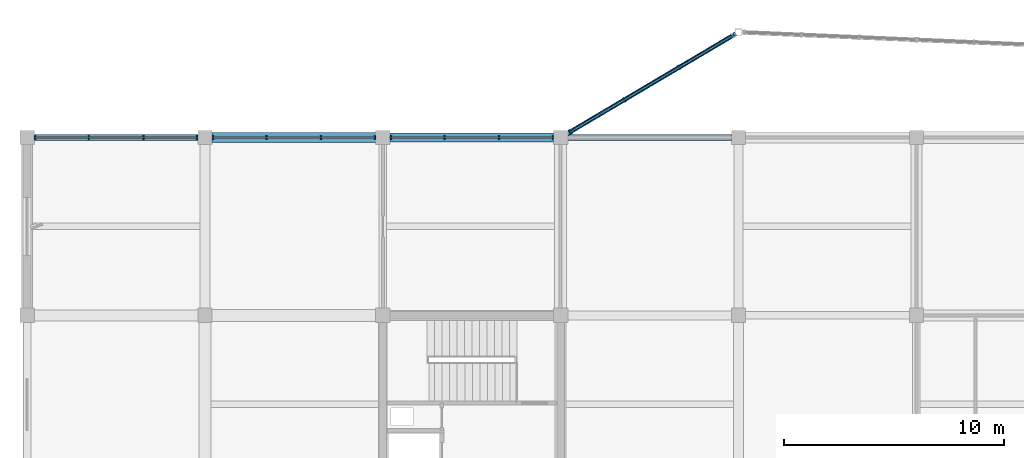
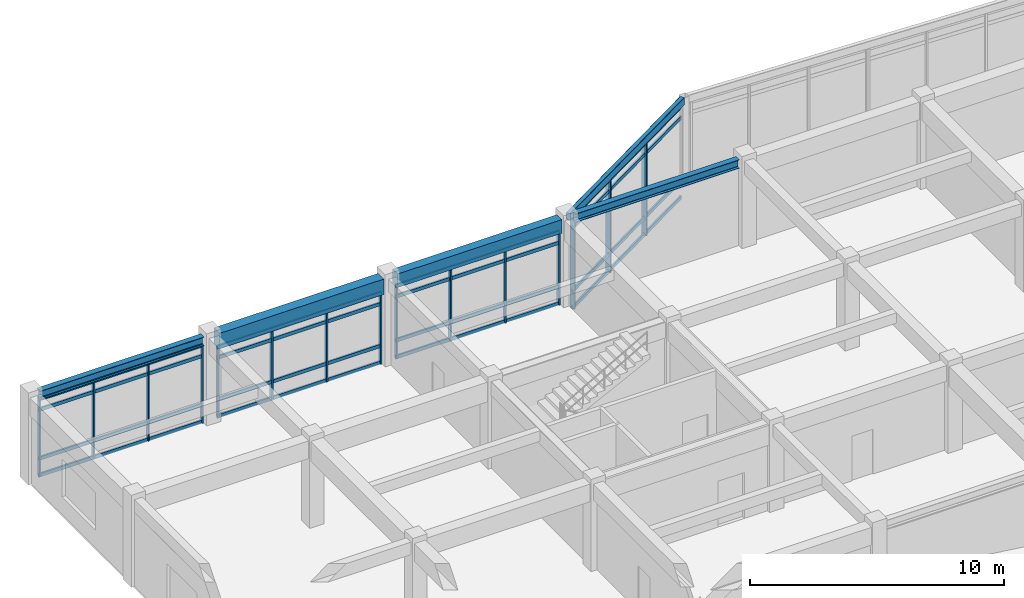
# One storey, part 34 of 70: 31 members, 5 beams, 4 elements without a shape of their own.
"""IFC4 building model written with IfcOpenShell, lengths in metres."""

from ifc_helpers import new_model, si_unit, direction, frame, origin, origin_2d, place, context, subcontext, project, spatial, rectangle, hollow_rectangle, i_section, extrude, material, layer, layer_set, material_profile, profile_set, type_object, element, aggregate, save


model = new_model("IFC4")

# Units and contexts
model_context = context("Model", 3, precision=1e-05, world=origin(), true_north=direction((0.0, 1.0)))
body_context = subcontext(model_context, "Body", "Model", "MODEL_VIEW")
ifc_project = project(units=[si_unit("LENGTHUNIT", "METRE"), si_unit("AREAUNIT", "SQUARE_METRE"), si_unit("VOLUMEUNIT", "CUBIC_METRE"), si_unit("PLANEANGLEUNIT", "RADIAN"), si_unit("MASSUNIT", "GRAM", prefix="KILO")], contexts=[model_context])

# Site, building, storey
site_placement = place(None, origin())
site = spatial("IfcSite", under=ifc_project, at=site_placement, CompositionType="ELEMENT")
building_placement = place(site_placement, origin())
building = spatial("IfcBuilding", under=site, at=building_placement, Name="Vaudrelin Polytechnic", CompositionType="ELEMENT")
storey_placement = place(building_placement, frame((0.0, 0.0, 14.110107421875)))
storey = spatial("IfcBuildingStorey", under=building, at=storey_placement, Name="L03", CompositionType="ELEMENT", Elevation=14.110107421875)

# Beams
ifc_material_1 = material(Name="Concrete 40 MPa", Category="concrete")
ifc_material_profile_1 = material_profile(ifc_material_1, rectangle(XDim=0.39990234375, YDim=0.64990234375, at=origin_2d()), Name="RC400x650")
ifc_profile_set_1 = profile_set([ifc_material_profile_1], Name="Concrete 40 MPa")
beam_type_1 = type_object("IfcBeamType", Name="BM-BM-RC4065", PredefinedType="BEAM", material=ifc_profile_set_1)
beam_1_placement = place(storey_placement, frame((16.52099609375, 121.5, 3.8349609375), z_axis=(1.0, 0.0, 0.0), x_axis=(0.0, 1.0, 0.0)))
element("IfcBeam", 1, at=beam_1_placement, inside=storey, type_object=beam_type_1, Name="L03 X-beam 3-16", PredefinedType="BEAM", context=body_context, shape_type="SweptSolid", body=[
    extrude(rectangle(XDim=0.39990234375, YDim=0.64990234375, at=origin_2d()), origin(), (0.0, 0.0, 1.0), 7.4580078125),
])
ifc_material_profile_2 = material_profile(ifc_material_1, rectangle(XDim=0.449951171875, YDim=0.75, at=origin_2d()), Name="RC450x750")
ifc_profile_set_2 = profile_set([ifc_material_profile_2], Name="Concrete 40 MPa")
beam_type_2 = type_object("IfcBeamType", Name="BM-BM-RC4575", PredefinedType="BEAM", material=ifc_profile_set_2)
beam_2_placement = place(storey_placement, frame((8.4208984375, 121.5, 3.784912109375), z_axis=(1.0, 0.0, 0.0), x_axis=(0.0, 1.0, 0.0)))
element("IfcBeam", 2, at=beam_2_placement, inside=storey, type_object=beam_type_2, Name="L03 X-beam 2-16", PredefinedType="BEAM", context=body_context, shape_type="SweptSolid", body=[
    extrude(rectangle(XDim=0.449951171875, YDim=0.75, at=origin_2d()), origin(), (0.0, 0.0, 1.0), 7.4580078125),
])
ifc_material_2 = material(Name="Steel CSA G40.21 350WT", Category="steel")
ifc_material_profile_3 = material_profile(ifc_material_2, i_section(OverallWidth=0.260009765625, OverallDepth=0.4150390625, WebThickness=0.010009765625, FlangeThickness=0.016845703125, FilletRadius=0.01611328125, at=origin_2d()), Name="W410x100")
ifc_profile_set_3 = profile_set([ifc_material_profile_3], Name="Steel CSA G40.21 350WT")
beam_type_3 = type_object("IfcBeamType", Name="BM-BM-W410H", PredefinedType="SPANDREL", material=ifc_profile_set_3)
for number, where, z_axis, x_axis, name in (
    (3, (0.321044921875, 121.5, 3.952392578125), (1.0, 0.0, 0.0), (0.0, 1.0, 0.0), "L03 X-beam 1-16"),
    (4, (24.62109375, 121.5, 3.952392578125), (1.0, 0.0, 0.0), (0.0, 1.0, 0.0), "L03 X-beam 4-16"),
):
    element("IfcBeam", number, at=place(storey_placement, frame(where, z_axis=z_axis, x_axis=x_axis)), inside=storey, type_object=beam_type_3, Name=name, PredefinedType="SPANDREL", context=body_context, shape_type="SweptSolid", body=[
        extrude(i_section(OverallWidth=0.260009765625, OverallDepth=0.4150390625, WebThickness=0.010009765625, FlangeThickness=0.016845703125, FilletRadius=0.01611328125, at=origin_2d()), origin(), (0.0, 0.0, 1.0), 7.4580078125),
    ])
ifc_material_profile_4 = material_profile(ifc_material_2, hollow_rectangle(XDim=0.202880859375, YDim=0.35595703125, WallThickness=0.0126953125, InnerFilletRadius=0.0126953125, OuterFilletRadius=0.025390625, at=origin_2d()), Name="HSS356x203x12.7")
ifc_profile_set_4 = profile_set([ifc_material_profile_4], Name="Steel CSA G40.21 350WT")
beam_type_4 = type_object("IfcBeamType", Name="BM-SP-HSS35", PredefinedType="SPANDREL", material=ifc_profile_set_4)
beam_3_placement = place(storey_placement, frame((24.42041015625, 121.5712890625, 3.98193359375), z_axis=(0.860293270053, 0.509799460083, 0.0), x_axis=(-0.509799460083, 0.860293270053, 0.0)))
element("IfcBeam", 5, at=beam_3_placement, inside=storey, type_object=beam_type_4, Name="Sculptural edge beam L03 N_OR1_B1", PredefinedType="SPANDREL", context=body_context, shape_type="SweptSolid", body=[
    extrude(hollow_rectangle(XDim=0.202880859375, YDim=0.35595703125, WallThickness=0.0126953125, InnerFilletRadius=0.0126953125, OuterFilletRadius=0.025390625, at=origin_2d()), origin(), (0.0, 0.0, 1.0), 9.135498046875),
])

# Curtain wall, members
ifc_material_3 = material(Name="Thermally broken anodised aluminium AA 6063-T6 and low-e triple glazing", Category="aluminium")
ifc_layer = layer(ifc_material_3, 0.199951171875)
ifc_layer_set = layer_set([ifc_layer], Name="Thermally broken anodised aluminium AA 6063-T6 and low-e triple glazing")
curtain_wall_type = type_object("IfcCurtainWallType", Name="CW-CW-STU", PredefinedType="USERDEFINED", material=ifc_layer_set)
curtain_wall_1_placement = place(storey_placement, origin())
curtain_wall_1 = element("IfcCurtainWall", 6, at=curtain_wall_1_placement, inside=storey, type_object=curtain_wall_type, Name="Curtain wall L03 N_V5_00", ObjectType="CURTAIN WALL", PredefinedType="USERDEFINED")
ifc_material_4 = material(Name="Anodised aluminium AA 6063-T6", Category="aluminium")
ifc_material_profile_5 = material_profile(ifc_material_4, rectangle(XDim=0.06494140625, YDim=0.179931640625, at=origin_2d()), Name="CWM-65x180")
ifc_profile_set_5 = profile_set([ifc_material_profile_5], Name="Anodised aluminium AA 6063-T6")
member_type_1 = type_object("IfcMemberType", Name="MEM-CWM-180", PredefinedType="MULLION", material=ifc_profile_set_5)
member_1_placement = place(storey_placement, frame((0.363037109375, 121.5, 0.0), z_axis=(0.0, 0.0, 1.0), x_axis=(1.0, 0.0, 0.0)))
member_1 = element("IfcMember", 7, at=member_1_placement, type_object=member_type_1, Name="N_V5_00 mullion 1", PredefinedType="MULLION", context=body_context, shape_type="SweptSolid", body=[
    extrude(rectangle(XDim=0.06494140625, YDim=0.179931640625, at=origin_2d()), origin(), (0.0, 0.0, 1.0), 3.746826171875),
])
member_2_placement = place(storey_placement, frame((2.8076171875, 121.5, 0.0), z_axis=(0.0, 0.0, 1.0), x_axis=(1.0, 0.0, 0.0)))
member_2 = element("IfcMember", 8, at=member_2_placement, type_object=member_type_1, Name="N_V5_00 mullion 2", PredefinedType="MULLION", context=body_context, shape_type="SweptSolid", body=[
    extrude(rectangle(XDim=0.06494140625, YDim=0.179931640625, at=origin_2d()), origin(), (0.0, 0.0, 1.0), 3.746826171875),
])
member_3_placement = place(storey_placement, frame((5.292236328125, 121.5, 0.0), z_axis=(0.0, 0.0, 1.0), x_axis=(1.0, 0.0, 0.0)))
member_3 = element("IfcMember", 9, at=member_3_placement, type_object=member_type_1, Name="N_V5_00 mullion 3", PredefinedType="MULLION", context=body_context, shape_type="SweptSolid", body=[
    extrude(rectangle(XDim=0.06494140625, YDim=0.179931640625, at=origin_2d()), origin(), (0.0, 0.0, 1.0), 3.746826171875),
])
member_4_placement = place(storey_placement, frame((7.737060546875, 121.5, 0.0), z_axis=(0.0, 0.0, 1.0), x_axis=(1.0, 0.0, 0.0)))
member_4 = element("IfcMember", 10, at=member_4_placement, type_object=member_type_1, Name="N_V5_00 mullion 4", PredefinedType="MULLION", context=body_context, shape_type="SweptSolid", body=[
    extrude(rectangle(XDim=0.06494140625, YDim=0.179931640625, at=origin_2d()), origin(), (0.0, 0.0, 1.0), 3.746826171875),
])

curtain_wall_2_placement = place(storey_placement, origin())
curtain_wall_2 = element("IfcCurtainWall", 11, at=curtain_wall_2_placement, inside=storey, type_object=curtain_wall_type, Name="Curtain wall L03 N_V5_01", ObjectType="CURTAIN WALL", PredefinedType="USERDEFINED")
member_5_placement = place(storey_placement, frame((8.462890625, 121.5, 0.0), z_axis=(0.0, 0.0, 1.0), x_axis=(1.0, 0.0, 0.0)))
member_5 = element("IfcMember", 12, at=member_5_placement, type_object=member_type_1, Name="N_V5_01 mullion 1", PredefinedType="MULLION", context=body_context, shape_type="SweptSolid", body=[
    extrude(rectangle(XDim=0.06494140625, YDim=0.179931640625, at=origin_2d()), origin(), (0.0, 0.0, 1.0), 3.411865234375),
])
member_6_placement = place(storey_placement, frame((10.90771484375, 121.5, 0.0), z_axis=(0.0, 0.0, 1.0), x_axis=(1.0, 0.0, 0.0)))
member_6 = element("IfcMember", 13, at=member_6_placement, type_object=member_type_1, Name="N_V5_01 mullion 2", PredefinedType="MULLION", context=body_context, shape_type="SweptSolid", body=[
    extrude(rectangle(XDim=0.06494140625, YDim=0.179931640625, at=origin_2d()), origin(), (0.0, 0.0, 1.0), 3.411865234375),
])
member_7_placement = place(storey_placement, frame((13.392333984375, 121.5, 0.0), z_axis=(0.0, 0.0, 1.0), x_axis=(1.0, 0.0, 0.0)))
member_7 = element("IfcMember", 14, at=member_7_placement, type_object=member_type_1, Name="N_V5_01 mullion 3", PredefinedType="MULLION", context=body_context, shape_type="SweptSolid", body=[
    extrude(rectangle(XDim=0.06494140625, YDim=0.179931640625, at=origin_2d()), origin(), (0.0, 0.0, 1.0), 3.411865234375),
])
member_8_placement = place(storey_placement, frame((15.8369140625, 121.5, 0.0), z_axis=(0.0, 0.0, 1.0), x_axis=(1.0, 0.0, 0.0)))
member_8 = element("IfcMember", 15, at=member_8_placement, type_object=member_type_1, Name="N_V5_01 mullion 4", PredefinedType="MULLION", context=body_context, shape_type="SweptSolid", body=[
    extrude(rectangle(XDim=0.06494140625, YDim=0.179931640625, at=origin_2d()), origin(), (0.0, 0.0, 1.0), 3.411865234375),
])

curtain_wall_3_placement = place(storey_placement, origin())
curtain_wall_3 = element("IfcCurtainWall", 16, at=curtain_wall_3_placement, inside=storey, type_object=curtain_wall_type, Name="Curtain wall L03 N_V5_02", ObjectType="CURTAIN WALL", PredefinedType="USERDEFINED")
member_9_placement = place(storey_placement, frame((16.56298828125, 121.5, 0.0), z_axis=(0.0, 0.0, 1.0), x_axis=(1.0, 0.0, 0.0)))
member_9 = element("IfcMember", 17, at=member_9_placement, type_object=member_type_1, Name="N_V5_02 mullion 1", PredefinedType="MULLION", context=body_context, shape_type="SweptSolid", body=[
    extrude(rectangle(XDim=0.06494140625, YDim=0.179931640625, at=origin_2d()), origin(), (0.0, 0.0, 1.0), 3.511962890625),
])
member_10_placement = place(storey_placement, frame((19.0078125, 121.5, 0.0), z_axis=(0.0, 0.0, 1.0), x_axis=(1.0, 0.0, 0.0)))
member_10 = element("IfcMember", 18, at=member_10_placement, type_object=member_type_1, Name="N_V5_02 mullion 2", PredefinedType="MULLION", context=body_context, shape_type="SweptSolid", body=[
    extrude(rectangle(XDim=0.06494140625, YDim=0.179931640625, at=origin_2d()), origin(), (0.0, 0.0, 1.0), 3.511962890625),
])
member_11_placement = place(storey_placement, frame((21.4921875, 121.5, 0.0), z_axis=(0.0, 0.0, 1.0), x_axis=(1.0, 0.0, 0.0)))
member_11 = element("IfcMember", 19, at=member_11_placement, type_object=member_type_1, Name="N_V5_02 mullion 3", PredefinedType="MULLION", context=body_context, shape_type="SweptSolid", body=[
    extrude(rectangle(XDim=0.06494140625, YDim=0.179931640625, at=origin_2d()), origin(), (0.0, 0.0, 1.0), 3.511962890625),
])
member_12_placement = place(storey_placement, frame((23.93701171875, 121.5, 0.0), z_axis=(0.0, 0.0, 1.0), x_axis=(1.0, 0.0, 0.0)))
member_12 = element("IfcMember", 20, at=member_12_placement, type_object=member_type_1, Name="N_V5_02 mullion 4", PredefinedType="MULLION", context=body_context, shape_type="SweptSolid", body=[
    extrude(rectangle(XDim=0.06494140625, YDim=0.179931640625, at=origin_2d()), origin(), (0.0, 0.0, 1.0), 3.511962890625),
])

curtain_wall_4_placement = place(storey_placement, origin())
curtain_wall_4 = element("IfcCurtainWall", 21, at=curtain_wall_4_placement, inside=storey, type_object=curtain_wall_type, Name="Curtain wall L03 N_OR1_1_0", ObjectType="CURTAIN WALL", PredefinedType="USERDEFINED")
ifc_material_profile_6 = material_profile(ifc_material_4, rectangle(XDim=0.074951171875, YDim=0.219970703125, at=origin_2d()), Name="CWM-75x220")
ifc_profile_set_6 = profile_set([ifc_material_profile_6], Name="Anodised aluminium AA 6063-T6")
member_type_2 = type_object("IfcMemberType", Name="MEM-CWM-220", PredefinedType="MULLION", material=ifc_profile_set_6)
member_13_placement = place(storey_placement, frame((24.732421875, 121.75634765625, -0.630126953125), z_axis=(0.0, 0.0, 1.0), x_axis=(0.860291533635, 0.509802390301, 0.0)))
member_13 = element("IfcMember", 22, at=member_13_placement, type_object=member_type_2, Name="N_OR1_1_0 mullion 1", PredefinedType="MULLION", context=body_context, shape_type="SweptSolid", body=[
    extrude(rectangle(XDim=0.074951171875, YDim=0.219970703125, at=origin_2d()), origin(), (0.0, 0.0, 1.0), 4.43994140625),
])
member_14_placement = place(storey_placement, frame((27.190185546875, 123.212646484375, -0.630126953125), z_axis=(0.0, 0.0, 1.0), x_axis=(0.860291533635, 0.509802390301, 0.0)))
member_14 = element("IfcMember", 23, at=member_14_placement, type_object=member_type_2, Name="N_OR1_1_0 mullion 2", PredefinedType="MULLION", context=body_context, shape_type="SweptSolid", body=[
    extrude(rectangle(XDim=0.074951171875, YDim=0.219970703125, at=origin_2d()), origin(), (0.0, 0.0, 1.0), 4.43994140625),
])
member_15_placement = place(storey_placement, frame((29.682373046875, 124.689453125, -0.630126953125), z_axis=(0.0, 0.0, 1.0), x_axis=(0.860291533635, 0.509802390301, 0.0)))
member_15 = element("IfcMember", 24, at=member_15_placement, type_object=member_type_2, Name="N_OR1_1_0 mullion 3", PredefinedType="MULLION", context=body_context, shape_type="SweptSolid", body=[
    extrude(rectangle(XDim=0.074951171875, YDim=0.219970703125, at=origin_2d()), origin(), (0.0, 0.0, 1.0), 4.43994140625),
])

# Member
ifc_material_profile_7 = material_profile(ifc_material_4, rectangle(XDim=0.074951171875, YDim=0.1650390625, at=origin_2d()), Name="CWT-75x165")
ifc_profile_set_7 = profile_set([ifc_material_profile_7], Name="Anodised aluminium AA 6063-T6")
member_type_3 = type_object("IfcMemberType", Name="MEM-CWT-165", PredefinedType="USERDEFINED", material=ifc_profile_set_7)
member_16_placement = place(storey_placement, frame((0.322998046875, 121.5, 0.0498046875), z_axis=(1.0, 0.0, 0.0), x_axis=(0.0, 1.0, 0.0)))
member_16 = element("IfcMember", 25, at=member_16_placement, type_object=member_type_3, Name="N_V5_00 transom 1", ObjectType="TRANSOM", PredefinedType="USERDEFINED", context=body_context, shape_type="SweptSolid", body=[
    extrude(rectangle(XDim=0.074951171875, YDim=0.1650390625, at=origin_2d()), origin(), (0.0, 0.0, 1.0), 7.4541015625),
])

member_17_placement = place(storey_placement, frame((0.322998046875, 121.5, 0.849853515625), z_axis=(1.0, 0.0, 0.0), x_axis=(0.0, 1.0, 0.0)))
member_17 = element("IfcMember", 26, at=member_17_placement, type_object=member_type_3, Name="N_V5_00 transom 2", ObjectType="TRANSOM", PredefinedType="USERDEFINED", context=body_context, shape_type="SweptSolid", body=[
    extrude(rectangle(XDim=0.074951171875, YDim=0.1650390625, at=origin_2d()), origin(), (0.0, 0.0, 1.0), 7.4541015625),
])

member_18_placement = place(storey_placement, frame((0.322998046875, 121.5, 3.19677734375), z_axis=(1.0, 0.0, 0.0), x_axis=(0.0, 1.0, 0.0)))
member_18 = element("IfcMember", 27, at=member_18_placement, type_object=member_type_3, Name="N_V5_00 transom 3", ObjectType="TRANSOM", PredefinedType="USERDEFINED", context=body_context, shape_type="SweptSolid", body=[
    extrude(rectangle(XDim=0.074951171875, YDim=0.1650390625, at=origin_2d()), origin(), (0.0, 0.0, 1.0), 7.4541015625),
])

member_19_placement = place(storey_placement, frame((0.322998046875, 121.5, 3.69677734375), z_axis=(1.0, 0.0, 0.0), x_axis=(0.0, 1.0, 0.0)))
member_19 = element("IfcMember", 28, at=member_19_placement, type_object=member_type_3, Name="N_V5_00 transom 4", ObjectType="TRANSOM", PredefinedType="USERDEFINED", context=body_context, shape_type="SweptSolid", body=[
    extrude(rectangle(XDim=0.074951171875, YDim=0.1650390625, at=origin_2d()), origin(), (0.0, 0.0, 1.0), 7.4541015625),
])

aggregate(curtain_wall_1, [member_1, member_2, member_3, member_4, member_16, member_17, member_18, member_19])

member_20_placement = place(storey_placement, frame((8.423095703125, 121.5, 0.0498046875), z_axis=(1.0, 0.0, 0.0), x_axis=(0.0, 1.0, 0.0)))
member_20 = element("IfcMember", 29, at=member_20_placement, type_object=member_type_3, Name="N_V5_01 transom 1", ObjectType="TRANSOM", PredefinedType="USERDEFINED", context=body_context, shape_type="SweptSolid", body=[
    extrude(rectangle(XDim=0.074951171875, YDim=0.1650390625, at=origin_2d()), origin(), (0.0, 0.0, 1.0), 7.453857421875),
])

member_21_placement = place(storey_placement, frame((8.423095703125, 121.5, 0.849853515625), z_axis=(1.0, 0.0, 0.0), x_axis=(0.0, 1.0, 0.0)))
member_21 = element("IfcMember", 30, at=member_21_placement, type_object=member_type_3, Name="N_V5_01 transom 2", ObjectType="TRANSOM", PredefinedType="USERDEFINED", context=body_context, shape_type="SweptSolid", body=[
    extrude(rectangle(XDim=0.074951171875, YDim=0.1650390625, at=origin_2d()), origin(), (0.0, 0.0, 1.0), 7.453857421875),
])

member_22_placement = place(storey_placement, frame((8.423095703125, 121.5, 2.86181640625), z_axis=(1.0, 0.0, 0.0), x_axis=(0.0, 1.0, 0.0)))
member_22 = element("IfcMember", 31, at=member_22_placement, type_object=member_type_3, Name="N_V5_01 transom 3", ObjectType="TRANSOM", PredefinedType="USERDEFINED", context=body_context, shape_type="SweptSolid", body=[
    extrude(rectangle(XDim=0.074951171875, YDim=0.1650390625, at=origin_2d()), origin(), (0.0, 0.0, 1.0), 7.453857421875),
])

member_23_placement = place(storey_placement, frame((8.423095703125, 121.5, 3.36181640625), z_axis=(1.0, 0.0, 0.0), x_axis=(0.0, 1.0, 0.0)))
member_23 = element("IfcMember", 32, at=member_23_placement, type_object=member_type_3, Name="N_V5_01 transom 4", ObjectType="TRANSOM", PredefinedType="USERDEFINED", context=body_context, shape_type="SweptSolid", body=[
    extrude(rectangle(XDim=0.074951171875, YDim=0.1650390625, at=origin_2d()), origin(), (0.0, 0.0, 1.0), 7.453857421875),
])

aggregate(curtain_wall_2, [member_5, member_6, member_7, member_8, member_20, member_21, member_22, member_23])

member_24_placement = place(storey_placement, frame((16.52294921875, 121.5, 0.0498046875), z_axis=(1.0, 0.0, 0.0), x_axis=(0.0, 1.0, 0.0)))
member_24 = element("IfcMember", 33, at=member_24_placement, type_object=member_type_3, Name="N_V5_02 transom 1", ObjectType="TRANSOM", PredefinedType="USERDEFINED", context=body_context, shape_type="SweptSolid", body=[
    extrude(rectangle(XDim=0.074951171875, YDim=0.1650390625, at=origin_2d()), origin(), (0.0, 0.0, 1.0), 7.4541015625),
])

member_25_placement = place(storey_placement, frame((16.52294921875, 121.5, 0.849853515625), z_axis=(1.0, 0.0, 0.0), x_axis=(0.0, 1.0, 0.0)))
member_25 = element("IfcMember", 34, at=member_25_placement, type_object=member_type_3, Name="N_V5_02 transom 2", ObjectType="TRANSOM", PredefinedType="USERDEFINED", context=body_context, shape_type="SweptSolid", body=[
    extrude(rectangle(XDim=0.074951171875, YDim=0.1650390625, at=origin_2d()), origin(), (0.0, 0.0, 1.0), 7.4541015625),
])

member_26_placement = place(storey_placement, frame((16.52294921875, 121.5, 2.9619140625), z_axis=(1.0, 0.0, 0.0), x_axis=(0.0, 1.0, 0.0)))
member_26 = element("IfcMember", 35, at=member_26_placement, type_object=member_type_3, Name="N_V5_02 transom 3", ObjectType="TRANSOM", PredefinedType="USERDEFINED", context=body_context, shape_type="SweptSolid", body=[
    extrude(rectangle(XDim=0.074951171875, YDim=0.1650390625, at=origin_2d()), origin(), (0.0, 0.0, 1.0), 7.4541015625),
])

member_27_placement = place(storey_placement, frame((16.52294921875, 121.5, 3.4619140625), z_axis=(1.0, 0.0, 0.0), x_axis=(0.0, 1.0, 0.0)))
member_27 = element("IfcMember", 36, at=member_27_placement, type_object=member_type_3, Name="N_V5_02 transom 4", ObjectType="TRANSOM", PredefinedType="USERDEFINED", context=body_context, shape_type="SweptSolid", body=[
    extrude(rectangle(XDim=0.074951171875, YDim=0.1650390625, at=origin_2d()), origin(), (0.0, 0.0, 1.0), 7.4541015625),
])

aggregate(curtain_wall_3, [member_9, member_10, member_11, member_12, member_24, member_25, member_26, member_27])

member_28_placement = place(storey_placement, frame((24.697998046875, 121.73583984375, -0.580078125), z_axis=(0.860291077301, 0.509803160363, 0.0), x_axis=(-0.509803160363, 0.860291077301, 0.0)))
member_28 = element("IfcMember", 37, at=member_28_placement, type_object=member_type_3, Name="N_OR1_1_0 transom 1", ObjectType="TRANSOM", PredefinedType="USERDEFINED", context=body_context, shape_type="SweptSolid", body=[
    extrude(rectangle(XDim=0.074951171875, YDim=0.1650390625, at=origin_2d()), origin(), (0.0, 0.0, 1.0), 8.6904296875),
])

member_29_placement = place(storey_placement, frame((24.697998046875, 121.73583984375, 0.219970703125), z_axis=(0.860291077301, 0.509803160363, 0.0), x_axis=(-0.509803160363, 0.860291077301, 0.0)))
member_29 = element("IfcMember", 38, at=member_29_placement, type_object=member_type_3, Name="N_OR1_1_0 transom 2", ObjectType="TRANSOM", PredefinedType="USERDEFINED", context=body_context, shape_type="SweptSolid", body=[
    extrude(rectangle(XDim=0.074951171875, YDim=0.1650390625, at=origin_2d()), origin(), (0.0, 0.0, 1.0), 8.6904296875),
])

member_30_placement = place(storey_placement, frame((24.697998046875, 121.73583984375, 3.260009765625), z_axis=(0.860291077301, 0.509803160363, 0.0), x_axis=(-0.509803160363, 0.860291077301, 0.0)))
member_30 = element("IfcMember", 39, at=member_30_placement, type_object=member_type_3, Name="N_OR1_1_0 transom 3", ObjectType="TRANSOM", PredefinedType="USERDEFINED", context=body_context, shape_type="SweptSolid", body=[
    extrude(rectangle(XDim=0.074951171875, YDim=0.1650390625, at=origin_2d()), origin(), (0.0, 0.0, 1.0), 8.6904296875),
])

member_31_placement = place(storey_placement, frame((24.697998046875, 121.73583984375, 3.760009765625), z_axis=(0.860291077301, 0.509803160363, 0.0), x_axis=(-0.509803160363, 0.860291077301, 0.0)))
member_31 = element("IfcMember", 40, at=member_31_placement, type_object=member_type_3, Name="N_OR1_1_0 transom 4", ObjectType="TRANSOM", PredefinedType="USERDEFINED", context=body_context, shape_type="SweptSolid", body=[
    extrude(rectangle(XDim=0.074951171875, YDim=0.1650390625, at=origin_2d()), origin(), (0.0, 0.0, 1.0), 8.6904296875),
])

aggregate(curtain_wall_4, [member_13, member_14, member_15, member_28, member_29, member_30, member_31])

save(model, "model.ifc")
